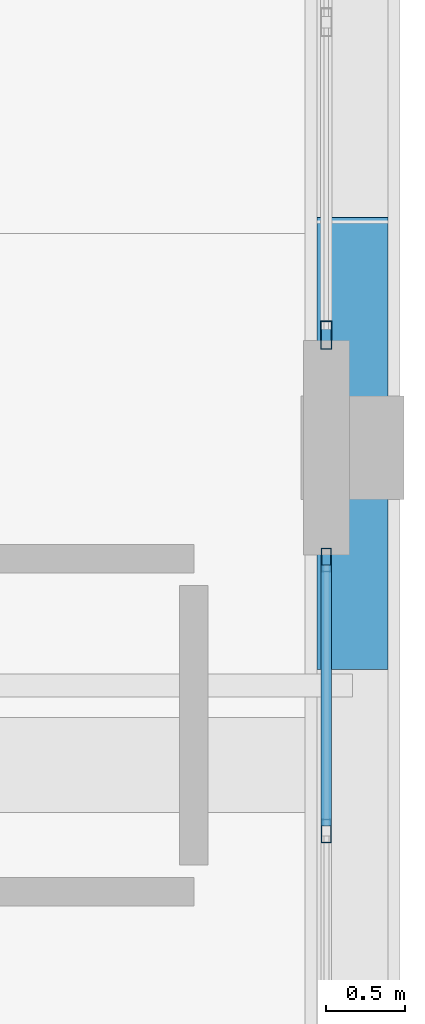
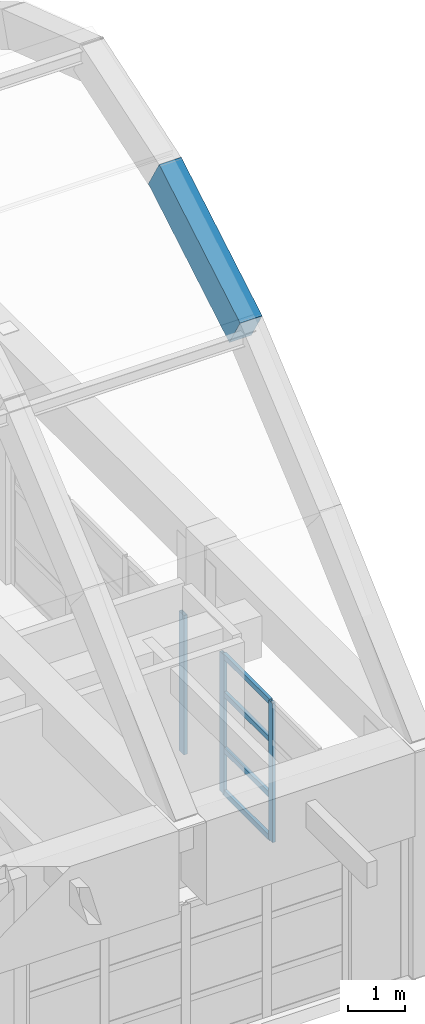
# One storey, part 46 of 78: 7 members, 1 beam, 2 elements without a shape of their own.
"""IFC4 building model written with IfcOpenShell, lengths in metres."""

from ifc_helpers import new_model, si_unit, direction, frame, origin, origin_2d, place, context, subcontext, project, spatial, rectangle, hollow_rectangle, extrude, material, layer, layer_set, material_profile, profile_set, type_object, element, aggregate, save


model = new_model("IFC4")

# Units and contexts
model_context = context("Model", 3, precision=1e-05, world=origin(), true_north=direction((0.0, 1.0)))
body_context = subcontext(model_context, "Body", "Model", "MODEL_VIEW")
ifc_project = project(units=[si_unit("LENGTHUNIT", "METRE"), si_unit("AREAUNIT", "SQUARE_METRE"), si_unit("VOLUMEUNIT", "CUBIC_METRE"), si_unit("PLANEANGLEUNIT", "RADIAN"), si_unit("MASSUNIT", "GRAM", prefix="KILO")], contexts=[model_context])

# Site, building, storey
site_placement = place(None, origin())
site = spatial("IfcSite", under=ifc_project, at=site_placement, CompositionType="ELEMENT")
building_placement = place(site_placement, origin())
building = spatial("IfcBuilding", under=site, at=building_placement, Name="Quendrovan Civic Courthouse", CompositionType="ELEMENT")
storey_placement = place(building_placement, frame((0.0, 0.0, 20.39990234375)))
storey = spatial("IfcBuildingStorey", under=building, at=storey_placement, Name="L05", CompositionType="ELEMENT", Elevation=20.39990234375)

# Beam
ifc_material_1 = material(Name="Concrete C40/50", Category="concrete")
ifc_material_profile_1 = material_profile(ifc_material_1, rectangle(XDim=0.449951171875, YDim=0.75, at=origin_2d()), Name="RC-VRIB-450x750")
ifc_profile_set_1 = profile_set([ifc_material_profile_1], Name="Concrete C40/50")
beam_type = type_object("IfcBeamType", Name="BM-VRIB750", PredefinedType="BEAM", material=ifc_profile_set_1)
beam_placement = place(storey_placement, frame((142.800048828125, 93.592041015625, 10.180908203125), z_axis=(0.0, 0.861355141515, 0.508003267889), x_axis=(-1.0, 0.0, 0.0)))
element("IfcBeam", 1, at=beam_placement, inside=storey, type_object=beam_type, Name="BV1 Concrete Vault Arch Rib A8-C3", PredefinedType="BEAM", context=body_context, shape_type="SweptSolid", body=[
    extrude(rectangle(XDim=0.449951171875, YDim=0.75, at=origin_2d()), origin(), (0.0, 0.0, 1.0), 3.308837890625),
])

# Curtain wall, member
ifc_material_2 = material(Name="Bronze anodised aluminium and low-E glass", Category="aluminium")
ifc_layer_1 = layer(ifc_material_2, 0.179931640625, Name="Bronze anodised aluminium and low-E glass")
ifc_layer_set_1 = layer_set([ifc_layer_1], Name="Bronze anodised aluminium and low-E glass")
curtain_wall_type_1 = type_object("IfcCurtainWallType", Name="CW-U60x30", PredefinedType="USERDEFINED", material=ifc_layer_set_1)
curtain_wall_1_placement = place(storey_placement, origin())
curtain_wall_1 = element("IfcCurtainWall", 2, at=curtain_wall_1_placement, inside=storey, type_object=curtain_wall_type_1, Name="L05 Unitised Hurricane Curtain Wall CW-196", ObjectType="UNITISED CURTAIN WALL", PredefinedType="USERDEFINED")
ifc_material_3 = material(Name="Bronze anodised aluminium", Category="aluminium")
ifc_material_profile_2 = material_profile(ifc_material_3, hollow_rectangle(XDim=0.070068359375, YDim=0.179931640625, WallThickness=0.00390625, at=origin_2d()), Name="CW-MULL-70x180")
ifc_profile_set_2 = profile_set([ifc_material_profile_2], Name="Bronze anodised aluminium")
member_type_1 = type_object("IfcMemberType", Name="CW-MULL-A", PredefinedType="MULLION", material=ifc_profile_set_2)
member_1_placement = place(storey_placement, frame((142.635009765625, 95.510009765625, 0.0), z_axis=(0.0, 0.0, 1.0), x_axis=(1.0, 0.0, 0.0)))
member_1 = element("IfcMember", 3, at=member_1_placement, type_object=member_type_1, Name="CW-196 mullion 4", PredefinedType="MULLION", context=body_context, shape_type="SweptSolid", body=[
    extrude(hollow_rectangle(XDim=0.070068359375, YDim=0.179931640625, WallThickness=0.00390625, at=origin_2d()), origin(), (0.0, 0.0, 1.0), 2.989990234375),
])
aggregate(curtain_wall_1, [member_1])

# Curtain wall, members
ifc_layer_2 = layer(ifc_material_2, 0.179931640625, Name="Bronze anodised aluminium and low-E glass")
ifc_layer_set_2 = layer_set([ifc_layer_2], Name="Bronze anodised aluminium and low-E glass")
curtain_wall_type_2 = type_object("IfcCurtainWallType", Name="CW-U52x30", PredefinedType="USERDEFINED", material=ifc_layer_set_2)
curtain_wall_2_placement = place(storey_placement, origin())
curtain_wall_2 = element("IfcCurtainWall", 4, at=curtain_wall_2_placement, inside=storey, type_object=curtain_wall_type_2, Name="L05 Unitised Hurricane Curtain Wall CW-197", ObjectType="UNITISED CURTAIN WALL", PredefinedType="USERDEFINED")
ifc_material_profile_3 = material_profile(ifc_material_3, hollow_rectangle(XDim=0.06494140625, YDim=0.14990234375, WallThickness=0.00390625, at=origin_2d()), Name="CW-MULL-65x150")
ifc_profile_set_3 = profile_set([ifc_material_profile_3], Name="Bronze anodised aluminium")
member_type_2 = type_object("IfcMemberType", Name="CW-MULL-B", PredefinedType="MULLION", material=ifc_profile_set_3)
member_2_placement = place(storey_placement, frame((142.635009765625, 94.092529296875, 0.0), z_axis=(0.0, 0.0, 1.0), x_axis=(1.0, 0.0, 0.0)))
member_2 = element("IfcMember", 5, at=member_2_placement, type_object=member_type_2, Name="CW-197 mullion 1", PredefinedType="MULLION", context=body_context, shape_type="SweptSolid", body=[
    extrude(hollow_rectangle(XDim=0.06494140625, YDim=0.14990234375, WallThickness=0.00390625, at=origin_2d()), origin(), (0.0, 0.0, 1.0), 2.989990234375),
])
member_3_placement = place(storey_placement, frame((142.635009765625, 92.38330078125, 0.0), z_axis=(0.0, 0.0, 1.0), x_axis=(1.0, 0.0, 0.0)))
member_3 = element("IfcMember", 6, at=member_3_placement, type_object=member_type_2, Name="CW-197 mullion 2", PredefinedType="MULLION", context=body_context, shape_type="SweptSolid", body=[
    extrude(hollow_rectangle(XDim=0.06494140625, YDim=0.14990234375, WallThickness=0.00390625, at=origin_2d()), origin(), (0.0, 0.0, 1.0), 2.989990234375),
])
ifc_material_profile_4 = material_profile(ifc_material_3, hollow_rectangle(XDim=0.06494140625, YDim=0.114990234375, WallThickness=0.00390625, at=origin_2d()), Name="CW-TRAN-65x115")
ifc_profile_set_4 = profile_set([ifc_material_profile_4], Name="Bronze anodised aluminium")
member_type_3 = type_object("IfcMemberType", Name="CW-TRAN-B", PredefinedType="USERDEFINED", material=ifc_profile_set_4)
member_4_placement = place(storey_placement, frame((142.635009765625, 94.06005859375, 0.03271484375), z_axis=(0.0, -1.0, 0.0), x_axis=(1.0, 0.0, 0.0)))
member_4 = element("IfcMember", 7, at=member_4_placement, type_object=member_type_3, Name="CW-197 transom 1.1", ObjectType="TRANSOM", PredefinedType="USERDEFINED", context=body_context, shape_type="SweptSolid", body=[
    extrude(hollow_rectangle(XDim=0.06494140625, YDim=0.114990234375, WallThickness=0.00390625, at=origin_2d()), origin(), (0.0, 0.0, 1.0), 1.644287109375),
])
member_5_placement = place(storey_placement, frame((142.635009765625, 94.06005859375, 0.9501953125), z_axis=(0.0, -1.0, 0.0), x_axis=(1.0, 0.0, 0.0)))
member_5 = element("IfcMember", 8, at=member_5_placement, type_object=member_type_3, Name="CW-197 transom 1.2", ObjectType="TRANSOM", PredefinedType="USERDEFINED", context=body_context, shape_type="SweptSolid", body=[
    extrude(hollow_rectangle(XDim=0.06494140625, YDim=0.114990234375, WallThickness=0.00390625, at=origin_2d()), origin(), (0.0, 0.0, 1.0), 1.644287109375),
])
member_6_placement = place(storey_placement, frame((142.635009765625, 94.06005859375, 2.150146484375), z_axis=(0.0, -1.0, 0.0), x_axis=(1.0, 0.0, 0.0)))
member_6 = element("IfcMember", 9, at=member_6_placement, type_object=member_type_3, Name="CW-197 transom 1.3", ObjectType="TRANSOM", PredefinedType="USERDEFINED", context=body_context, shape_type="SweptSolid", body=[
    extrude(hollow_rectangle(XDim=0.06494140625, YDim=0.114990234375, WallThickness=0.00390625, at=origin_2d()), origin(), (0.0, 0.0, 1.0), 1.644287109375),
])
member_7_placement = place(storey_placement, frame((142.635009765625, 94.06005859375, 2.95751953125), z_axis=(0.0, -1.0, 0.0), x_axis=(1.0, 0.0, 0.0)))
member_7 = element("IfcMember", 10, at=member_7_placement, type_object=member_type_3, Name="CW-197 transom 1.4", ObjectType="TRANSOM", PredefinedType="USERDEFINED", context=body_context, shape_type="SweptSolid", body=[
    extrude(hollow_rectangle(XDim=0.06494140625, YDim=0.114990234375, WallThickness=0.00390625, at=origin_2d()), origin(), (0.0, 0.0, 1.0), 1.644287109375),
])
aggregate(curtain_wall_2, [member_2, member_3, member_4, member_5, member_6, member_7])

save(model, "model.ifc")
